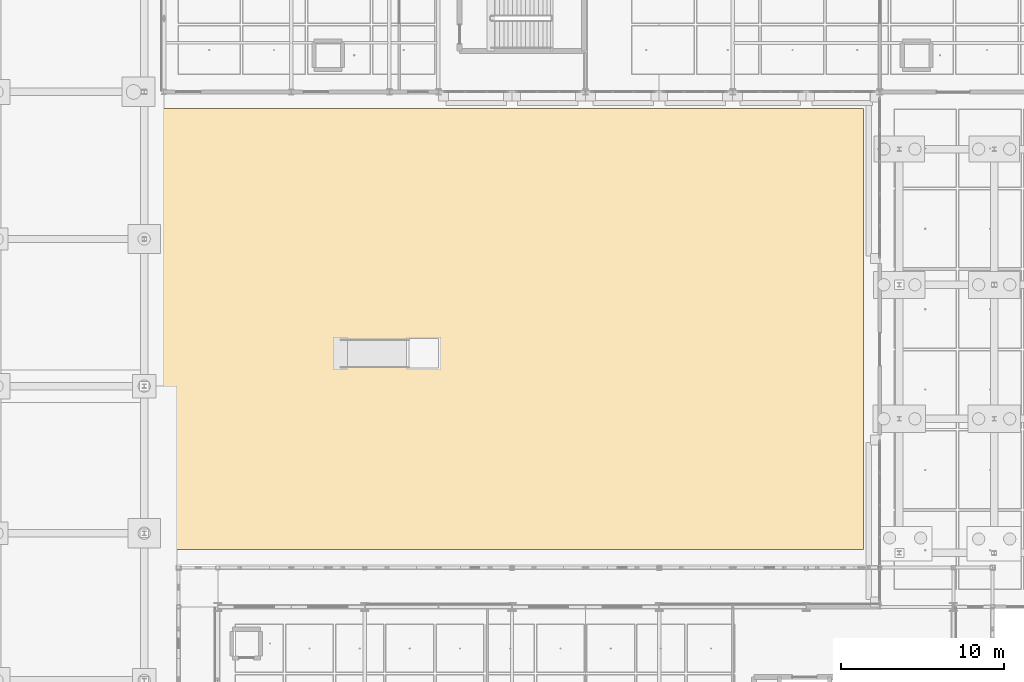
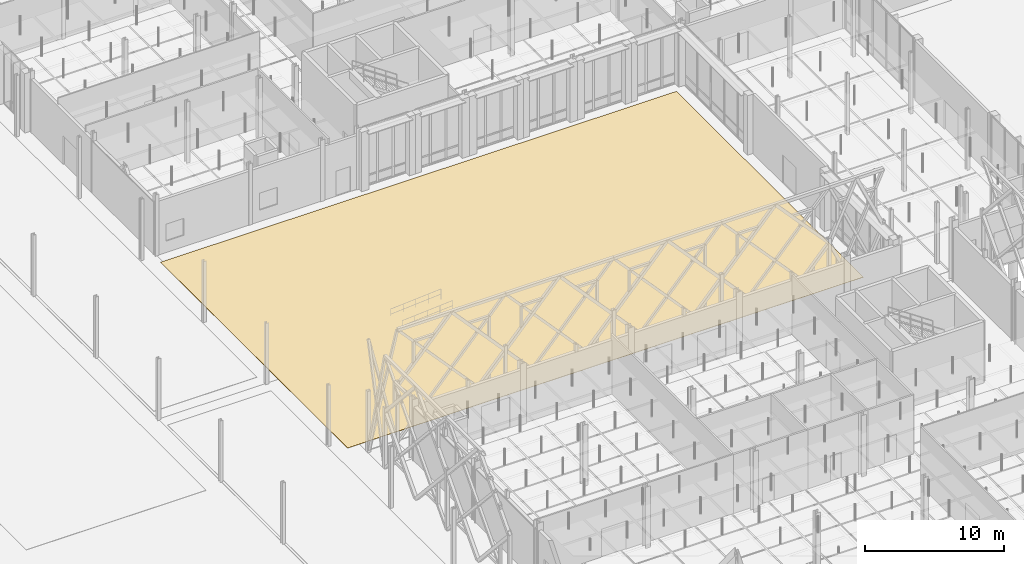
# One storey, part 167 of 180: 1 covering.
"""IFC4 building model written with IfcOpenShell, lengths in metres."""

from ifc_helpers import new_model, si_unit, direction, frame, origin, origin_2d, place, context, subcontext, project, spatial, rectangle, extrude, material, layer, layer_set, type_object, element, save


model = new_model("IFC4")

# Units and contexts
model_context = context("Model", 3, precision=1e-05, world=origin(), true_north=direction((0.0, 1.0)))
body_context = subcontext(model_context, "Body", "Model", "MODEL_VIEW")
ifc_project = project(units=[si_unit("LENGTHUNIT", "METRE"), si_unit("AREAUNIT", "SQUARE_METRE"), si_unit("VOLUMEUNIT", "CUBIC_METRE"), si_unit("PLANEANGLEUNIT", "RADIAN"), si_unit("MASSUNIT", "GRAM", prefix="KILO"), si_unit("THERMODYNAMICTEMPERATUREUNIT", "KELVIN"), si_unit("POWERUNIT", "WATT")], contexts=[model_context])

# Site, building, storey
site_placement = place(None, origin())
site = spatial("IfcSite", under=ifc_project, at=site_placement, CompositionType="ELEMENT")
building_placement = place(site_placement, origin())
building = spatial("IfcBuilding", under=site, at=building_placement, Name="Tallowbark Science Centre", CompositionType="ELEMENT")
storey_placement = place(building_placement, origin())
storey = spatial("IfcBuildingStorey", under=building, at=storey_placement, Name="L00", CompositionType="ELEMENT", Elevation=0.0)

# Covering
ifc_material = material(Name="Honed Hawkesbury Sandstone Civic Paving", Category="masonry")
ifc_layer = layer(ifc_material, 0.0400390625)
ifc_layer_set = layer_set([ifc_layer], Name="Honed Hawkesbury Sandstone Civic Paving")
covering_type = type_object("IfcCoveringType", Name="COV-STN-PAV", PredefinedType="FLOORING", material=ifc_layer_set)
covering_placement = place(storey_placement, frame((76.5, 57.5, 0.0), z_axis=(0.0, 0.0, 1.0), x_axis=(1.0, 0.0, 0.0)))
element("IfcCovering", 1, at=covering_placement, inside=storey, type_object=covering_type, Name="Hawkesbury Sandstone Paving PAV-COURTYARD", PredefinedType="FLOORING", context=body_context, shape_type="SweptSolid", body=[
    extrude(rectangle(XDim=43.0, YDim=27.0, at=origin_2d()), origin(), (0.0, 0.0, 1.0), 0.02001953125),
])

save(model, "model.ifc")
